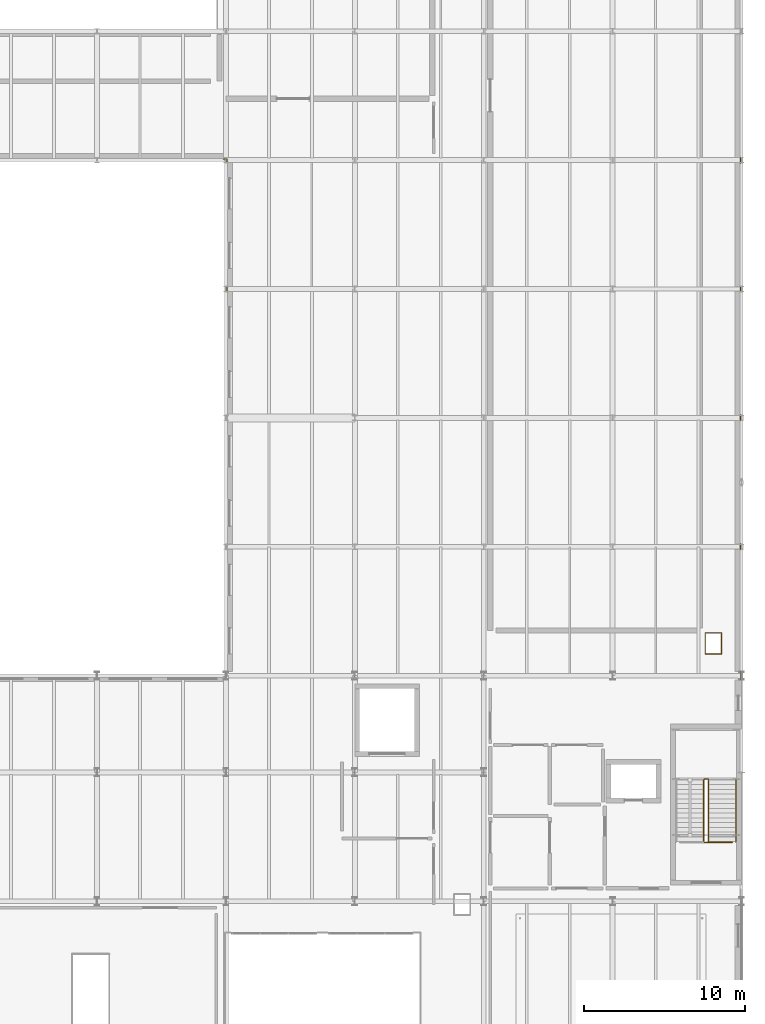
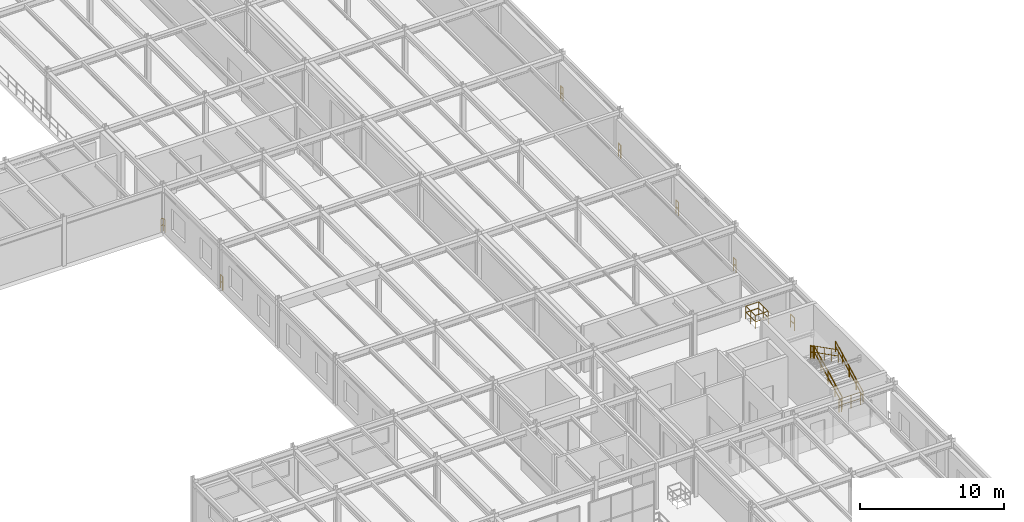
# One storey, part 121 of 122: 14 railings.
"""IFC4 building model written with IfcOpenShell, lengths in metres."""

from ifc_helpers import new_model, si_unit, direction, frame, origin, origin_2d, place, context, subcontext, project, spatial, circle, extrude, material, type_object, element, save


model = new_model("IFC4")

# Units and contexts
model_context = context("Model", 3, precision=1e-05, world=origin(), true_north=direction((0.0, 1.0)))
body_context = subcontext(model_context, "Body", "Model", "MODEL_VIEW")
ifc_project = project(units=[si_unit("LENGTHUNIT", "METRE"), si_unit("AREAUNIT", "SQUARE_METRE"), si_unit("VOLUMEUNIT", "CUBIC_METRE"), si_unit("PLANEANGLEUNIT", "RADIAN"), si_unit("MASSUNIT", "GRAM", prefix="KILO")], contexts=[model_context])

# Site, building, storey
site_placement = place(None, origin())
site = spatial("IfcSite", under=ifc_project, at=site_placement, CompositionType="ELEMENT")
building_placement = place(site_placement, origin())
building = spatial("IfcBuilding", under=site, at=building_placement, Name="Sundkrona Museum", CompositionType="ELEMENT")
storey_placement = place(building_placement, frame((0.0, 0.0, 5.39990234375)))
storey = spatial("IfcBuildingStorey", under=building, at=storey_placement, Name="L01", CompositionType="ELEMENT", Elevation=5.39990234375)

# Railings
ifc_material_1 = material(Name="Painted Steel S355J2 and Laminated Glass Balustrade", Category="steel")
railing_type_1 = type_object("IfcRailingType", Name="RL-GUARD-1100", PredefinedType="BALUSTRADE", material=ifc_material_1)
railing_1_placement = place(storey_placement, frame((165.949951171875, 35.699951171875, 0.150146484375)))
element("IfcRailing", 1, at=railing_1_placement, inside=storey, type_object=railing_type_1, Name="L01 ST-1 stair guard 1", PredefinedType="BALUSTRADE", context=body_context, shape_type="SweptSolid", body=[
    extrude(circle(Radius=0.02392578125, at=origin_2d()), frame((0.0, 0.0, 1.076171875), z_axis=(0.0, 0.891387850335, 0.453241326752), x_axis=(-1.0, 0.0, 0.0)), (0.0, 0.0, 1.0), 4.30224609375),
    extrude(circle(Radius=0.02392578125, at=origin_2d()), frame((0.0, 0.0, 0.550048828125), z_axis=(0.0, 0.891387850335, 0.453241326752), x_axis=(-1.0, 0.0, 0.0)), (0.0, 0.0, 1.0), 4.30224609375),
    extrude(circle(Radius=0.02099609375, at=origin_2d()), origin(), (0.0, 0.0, 1.0), 1.052001953125),
    extrude(circle(Radius=0.02099609375, at=origin_2d()), frame((0.0, 0.958740234375, 0.487548828125)), (0.0, 0.0, 1.0), 1.052001953125),
    extrude(circle(Radius=0.02099609375, at=origin_2d()), frame((0.0, 1.91748046875, 0.97509765625)), (0.0, 0.0, 1.0), 1.052001953125),
    extrude(circle(Radius=0.02099609375, at=origin_2d()), frame((0.0, 2.876220703125, 1.46240234375)), (0.0, 0.0, 1.0), 1.052001953125),
    extrude(circle(Radius=0.02099609375, at=origin_2d()), frame((0.0, 3.8349609375, 1.949951171875)), (0.0, 0.0, 1.0), 1.052001953125),
])
railing_2_placement = place(storey_placement, frame((165.89990234375, 39.5849609375, 2.10009765625)))
element("IfcRailing", 2, at=railing_2_placement, inside=storey, type_object=railing_type_1, Name="L01 ST-1 stair guard 2", PredefinedType="BALUSTRADE", context=body_context, shape_type="SweptSolid", body=[
    extrude(circle(Radius=0.02392578125, at=origin_2d()), frame((0.0, 0.0, 1.076171875), z_axis=(-1.0, 0.0, 0.0), x_axis=(0.0, -1.0, 0.0)), (0.0, 0.0, 1.0), 0.199951171875),
    extrude(circle(Radius=0.02392578125, at=origin_2d()), frame((0.0, 0.0, 0.550048828125), z_axis=(-1.0, 0.0, 0.0), x_axis=(0.0, -1.0, 0.0)), (0.0, 0.0, 1.0), 0.199951171875),
    extrude(circle(Radius=0.02099609375, at=origin_2d()), origin(), (0.0, 0.0, 1.0), 1.052001953125),
    extrude(circle(Radius=0.02099609375, at=origin_2d()), frame((-0.199951171875, 0.0, 0.0)), (0.0, 0.0, 1.0), 1.052001953125),
])
railing_3_placement = place(storey_placement, frame((165.64990234375, 39.534912109375, 2.25)))
element("IfcRailing", 3, at=railing_3_placement, inside=storey, type_object=railing_type_1, Name="L01 ST-1 stair guard 3", PredefinedType="BALUSTRADE", context=body_context, shape_type="SweptSolid", body=[
    extrude(circle(Radius=0.02392578125, at=origin_2d()), frame((0.0, 0.0, 1.076171875), z_axis=(0.0, -0.891364923058, 0.453286414909), x_axis=(1.0, 0.0, 0.0)), (0.0, 0.0, 1.0), 4.30224609375),
    extrude(circle(Radius=0.02392578125, at=origin_2d()), frame((0.0, 0.0, 0.550048828125), z_axis=(0.0, -0.891364923058, 0.453286414909), x_axis=(1.0, 0.0, 0.0)), (0.0, 0.0, 1.0), 4.30224609375),
    extrude(circle(Radius=0.02099609375, at=origin_2d()), origin(), (0.0, 0.0, 1.0), 1.052001953125),
    extrude(circle(Radius=0.02099609375, at=origin_2d()), frame((0.0, -0.958740234375, 0.487548828125)), (0.0, 0.0, 1.0), 1.052001953125),
    extrude(circle(Radius=0.02099609375, at=origin_2d()), frame((0.0, -1.91748046875, 0.97509765625)), (0.0, 0.0, 1.0), 1.052001953125),
    extrude(circle(Radius=0.02099609375, at=origin_2d()), frame((0.0, -2.876220703125, 1.462646484375)), (0.0, 0.0, 1.0), 1.052001953125),
    extrude(circle(Radius=0.02099609375, at=origin_2d()), frame((0.0, -3.8349609375, 1.9501953125)), (0.0, 0.0, 1.0), 1.052001953125),
])
railing_4_placement = place(storey_placement, frame((165.89990234375, 35.64990234375, 0.0)))
element("IfcRailing", 4, at=railing_4_placement, inside=storey, type_object=railing_type_1, Name="L01 ST-1 stair guard 4", PredefinedType="BALUSTRADE", context=body_context, shape_type="SweptSolid", body=[
    extrude(circle(Radius=0.02392578125, at=origin_2d()), frame((0.0, 0.0, 1.076171875), z_axis=(-1.0, 0.0, 0.0), x_axis=(0.0, -1.0, 0.0)), (0.0, 0.0, 1.0), 0.199951171875),
    extrude(circle(Radius=0.02392578125, at=origin_2d()), frame((0.0, 0.0, 0.550048828125), z_axis=(-1.0, 0.0, 0.0), x_axis=(0.0, -1.0, 0.0)), (0.0, 0.0, 1.0), 0.199951171875),
    extrude(circle(Radius=0.02099609375, at=origin_2d()), origin(), (0.0, 0.0, 1.0), 1.052001953125),
    extrude(circle(Radius=0.02099609375, at=origin_2d()), frame((-0.199951171875, 0.0, 0.0)), (0.0, 0.0, 1.0), 1.052001953125),
])
railing_5_placement = place(storey_placement, frame((136.06005859375, 77.837890625, 0.0)))
element("IfcRailing", 5, at=railing_5_placement, inside=storey, type_object=railing_type_1, Name="L01 Edge Protection Balustrade 064", PredefinedType="BALUSTRADE", context=body_context, shape_type="SweptSolid", body=[
    extrude(circle(Radius=0.02392578125, at=origin_2d()), frame((0.0, 0.0, 1.09619140625), z_axis=(0.0, 1.0, 0.0), x_axis=(-1.0, 0.0, 0.0)), (0.0, 0.0, 1.0), 0.22216796875),
    extrude(circle(Radius=0.02392578125, at=origin_2d()), frame((0.0, 0.0, 0.56005859375), z_axis=(0.0, 1.0, 0.0), x_axis=(-1.0, 0.0, 0.0)), (0.0, 0.0, 1.0), 0.22216796875),
    extrude(circle(Radius=0.02392578125, at=origin_2d()), frame((0.0, 0.22216796875, 1.09619140625), z_axis=(-1.0, 0.0, 0.0), x_axis=(0.0, -1.0, 0.0)), (0.0, 0.0, 1.0), 0.212158203125),
    extrude(circle(Radius=0.02392578125, at=origin_2d()), frame((0.0, 0.22216796875, 0.56005859375), z_axis=(-1.0, 0.0, 0.0), x_axis=(0.0, -1.0, 0.0)), (0.0, 0.0, 1.0), 0.212158203125),
    extrude(circle(Radius=0.02099609375, at=origin_2d()), origin(), (0.0, 0.0, 1.0), 1.072021484375),
    extrude(circle(Radius=0.02099609375, at=origin_2d()), frame((0.0, 0.22216796875, 0.0)), (0.0, 0.0, 1.0), 1.072021484375),
    extrude(circle(Radius=0.02099609375, at=origin_2d()), frame((-0.212158203125, 0.22216796875, 0.0)), (0.0, 0.0, 1.0), 1.072021484375),
])
railing_6_placement = place(storey_placement, frame((136.06005859375, 69.837890625, 0.0)))
element("IfcRailing", 6, at=railing_6_placement, inside=storey, type_object=railing_type_1, Name="L01 Edge Protection Balustrade 069", PredefinedType="BALUSTRADE", context=body_context, shape_type="SweptSolid", body=[
    extrude(circle(Radius=0.02392578125, at=origin_2d()), frame((0.0, 0.0, 1.09619140625), z_axis=(0.0, 1.0, 0.0), x_axis=(-1.0, 0.0, 0.0)), (0.0, 0.0, 1.0), 0.32421875),
    extrude(circle(Radius=0.02392578125, at=origin_2d()), frame((0.0, 0.0, 0.56005859375), z_axis=(0.0, 1.0, 0.0), x_axis=(-1.0, 0.0, 0.0)), (0.0, 0.0, 1.0), 0.32421875),
    extrude(circle(Radius=0.02099609375, at=origin_2d()), origin(), (0.0, 0.0, 1.0), 1.072021484375),
    extrude(circle(Radius=0.02099609375, at=origin_2d()), frame((0.0, 0.32421875, 0.0)), (0.0, 0.0, 1.0), 1.072021484375),
])
railing_7_placement = place(storey_placement, frame((166.760009765625, 48.659912109375, 0.0)))
element("IfcRailing", 7, at=railing_7_placement, inside=storey, type_object=railing_type_1, Name="L01 Edge Protection Balustrade 078", PredefinedType="BALUSTRADE", context=body_context, shape_type="SweptSolid", body=[
    extrude(circle(Radius=0.02392578125, at=origin_2d()), frame((0.0, 0.0, 1.09619140625), z_axis=(-1.0, 0.0, 0.0), x_axis=(0.0, -1.0, 0.0)), (0.0, 0.0, 1.0), 1.02001953125),
    extrude(circle(Radius=0.02392578125, at=origin_2d()), frame((0.0, 0.0, 0.56005859375), z_axis=(-1.0, 0.0, 0.0), x_axis=(0.0, -1.0, 0.0)), (0.0, 0.0, 1.0), 1.02001953125),
    extrude(circle(Radius=0.02392578125, at=origin_2d()), frame((-1.02001953125, 0.0, 1.09619140625), z_axis=(0.0, -1.0, 0.0), x_axis=(1.0, 0.0, 0.0)), (0.0, 0.0, 1.0), 1.31982421875),
    extrude(circle(Radius=0.02392578125, at=origin_2d()), frame((-1.02001953125, 0.0, 0.56005859375), z_axis=(0.0, -1.0, 0.0), x_axis=(1.0, 0.0, 0.0)), (0.0, 0.0, 1.0), 1.31982421875),
    extrude(circle(Radius=0.02392578125, at=origin_2d()), frame((-1.02001953125, -1.31982421875, 1.09619140625), z_axis=(1.0, 0.0, 0.0), x_axis=(0.0, 1.0, 0.0)), (0.0, 0.0, 1.0), 1.02001953125),
    extrude(circle(Radius=0.02392578125, at=origin_2d()), frame((-1.02001953125, -1.31982421875, 0.56005859375), z_axis=(1.0, 0.0, 0.0), x_axis=(0.0, 1.0, 0.0)), (0.0, 0.0, 1.0), 1.02001953125),
    extrude(circle(Radius=0.02392578125, at=origin_2d()), frame((0.0, -1.31982421875, 1.09619140625), z_axis=(0.0, 1.0, 0.0), x_axis=(-1.0, 0.0, 0.0)), (0.0, 0.0, 1.0), 1.31982421875),
    extrude(circle(Radius=0.02392578125, at=origin_2d()), frame((0.0, -1.31982421875, 0.56005859375), z_axis=(0.0, 1.0, 0.0), x_axis=(-1.0, 0.0, 0.0)), (0.0, 0.0, 1.0), 1.31982421875),
    extrude(circle(Radius=0.02099609375, at=origin_2d()), origin(), (0.0, 0.0, 1.0), 1.072021484375),
    extrude(circle(Radius=0.02099609375, at=origin_2d()), frame((-1.02001953125, 0.0, 0.0)), (0.0, 0.0, 1.0), 1.072021484375),
    extrude(circle(Radius=0.02099609375, at=origin_2d()), frame((-1.02001953125, -0.659912109375, 0.0)), (0.0, 0.0, 1.0), 1.072021484375),
    extrude(circle(Radius=0.02099609375, at=origin_2d()), frame((-1.02001953125, -1.31982421875, 0.0)), (0.0, 0.0, 1.0), 1.072021484375),
    extrude(circle(Radius=0.02099609375, at=origin_2d()), frame((0.0, -1.31982421875, 0.0)), (0.0, 0.0, 1.0), 1.072021484375),
    extrude(circle(Radius=0.02099609375, at=origin_2d()), frame((0.0, -0.659912109375, 0.0)), (0.0, 0.0, 1.0), 1.072021484375),
])
railing_8_placement = place(storey_placement, frame((165.89990234375, 35.6650390625, 0.0)))
element("IfcRailing", 8, at=railing_8_placement, inside=storey, type_object=railing_type_1, Name="L01 Edge Protection Balustrade 079", PredefinedType="BALUSTRADE", context=body_context, shape_type="SweptSolid", body=[
    extrude(circle(Radius=0.02392578125, at=origin_2d()), frame((0.0, 0.0, 1.09619140625), z_axis=(1.0, 0.0, 0.0), x_axis=(0.0, 1.0, 0.0)), (0.0, 0.0, 1.0), 1.52001953125),
    extrude(circle(Radius=0.02392578125, at=origin_2d()), frame((0.0, 0.0, 0.56005859375), z_axis=(1.0, 0.0, 0.0), x_axis=(0.0, 1.0, 0.0)), (0.0, 0.0, 1.0), 1.52001953125),
    extrude(circle(Radius=0.02099609375, at=origin_2d()), origin(), (0.0, 0.0, 1.0), 1.072021484375),
    extrude(circle(Radius=0.02099609375, at=origin_2d()), frame((0.760009765625, 0.0, 0.0)), (0.0, 0.0, 1.0), 1.072021484375),
    extrude(circle(Radius=0.02099609375, at=origin_2d()), frame((1.52001953125, 0.0, 0.0)), (0.0, 0.0, 1.0), 1.072021484375),
])
railing_9_placement = place(storey_placement, frame((167.93994140625, 46.251953125, 0.0)))
element("IfcRailing", 9, at=railing_9_placement, inside=storey, type_object=railing_type_1, Name="L01 Edge Protection Balustrade 084", PredefinedType="BALUSTRADE", context=body_context, shape_type="SweptSolid", body=[
    extrude(circle(Radius=0.02392578125, at=origin_2d()), frame((0.0, 0.0, 1.09619140625), z_axis=(0.0, -1.0, 0.0), x_axis=(1.0, 0.0, 0.0)), (0.0, 0.0, 1.0), 0.50390625),
    extrude(circle(Radius=0.02392578125, at=origin_2d()), frame((0.0, 0.0, 0.56005859375), z_axis=(0.0, -1.0, 0.0), x_axis=(1.0, 0.0, 0.0)), (0.0, 0.0, 1.0), 0.50390625),
    extrude(circle(Radius=0.02099609375, at=origin_2d()), origin(), (0.0, 0.0, 1.0), 1.072021484375),
    extrude(circle(Radius=0.02099609375, at=origin_2d()), frame((0.0, -0.50390625, 0.0)), (0.0, 0.0, 1.0), 1.072021484375),
])
for number, where, name in (
    (10, (167.93994140625, 54.162109375, 0.0), "L01 Edge Protection Balustrade 085"),
    (11, (167.93994140625, 62.162109375, 0.0), "L01 Edge Protection Balustrade 086"),
    (12, (167.93994140625, 70.162109375, 0.0), "L01 Edge Protection Balustrade 087"),
    (13, (167.93994140625, 78.162109375, 0.0), "L01 Edge Protection Balustrade 088"),
):
    element("IfcRailing", number, at=place(storey_placement, frame(where)), inside=storey, type_object=railing_type_1, Name=name, PredefinedType="BALUSTRADE", context=body_context, shape_type="SweptSolid", body=[
        extrude(circle(Radius=0.02392578125, at=origin_2d()), frame((0.0, 0.0, 1.09619140625), z_axis=(0.0, -1.0, 0.0), x_axis=(1.0, 0.0, 0.0)), (0.0, 0.0, 1.0), 0.32421875),
        extrude(circle(Radius=0.02392578125, at=origin_2d()), frame((0.0, 0.0, 0.56005859375), z_axis=(0.0, -1.0, 0.0), x_axis=(1.0, 0.0, 0.0)), (0.0, 0.0, 1.0), 0.32421875),
        extrude(circle(Radius=0.02099609375, at=origin_2d()), origin(), (0.0, 0.0, 1.0), 1.072021484375),
        extrude(circle(Radius=0.02099609375, at=origin_2d()), frame((0.0, -0.32421875, 0.0)), (0.0, 0.0, 1.0), 1.072021484375),
    ])
ifc_material_2 = material(Name="Brushed Bronze-Clad Steel Handrail", Category="steel")
railing_type_2 = type_object("IfcRailingType", Name="RL-HAND-900", PredefinedType="HANDRAIL", material=ifc_material_2)
railing_10_placement = place(storey_placement, frame((167.64990234375, 35.699951171875, 0.150146484375)))
element("IfcRailing", 14, at=railing_10_placement, inside=storey, type_object=railing_type_2, Name="L01 ST-1 stair handrail 1", PredefinedType="HANDRAIL", context=body_context, shape_type="SweptSolid", body=[
    extrude(circle(Radius=0.02392578125, at=origin_2d()), frame((0.0, 0.0, 0.8759765625), z_axis=(0.0, 0.891387850335, 0.453241326752), x_axis=(-1.0, 0.0, 0.0)), (0.0, 0.0, 1.0), 4.30224609375),
    extrude(circle(Radius=0.02392578125, at=origin_2d()), frame((0.0, 0.0, 0.449951171875), z_axis=(0.0, 0.891387850335, 0.453241326752), x_axis=(-1.0, 0.0, 0.0)), (0.0, 0.0, 1.0), 4.30224609375),
    extrude(circle(Radius=0.02099609375, at=origin_2d()), origin(), (0.0, 0.0, 1.0), 0.851806640625),
    extrude(circle(Radius=0.02099609375, at=origin_2d()), frame((0.0, 0.958740234375, 0.487548828125)), (0.0, 0.0, 1.0), 0.851806640625),
    extrude(circle(Radius=0.02099609375, at=origin_2d()), frame((0.0, 1.91748046875, 0.97509765625)), (0.0, 0.0, 1.0), 0.851806640625),
    extrude(circle(Radius=0.02099609375, at=origin_2d()), frame((0.0, 2.876220703125, 1.46240234375)), (0.0, 0.0, 1.0), 0.851806640625),
    extrude(circle(Radius=0.02099609375, at=origin_2d()), frame((0.0, 3.8349609375, 1.949951171875)), (0.0, 0.0, 1.0), 0.851806640625),
])

save(model, "model.ifc")
